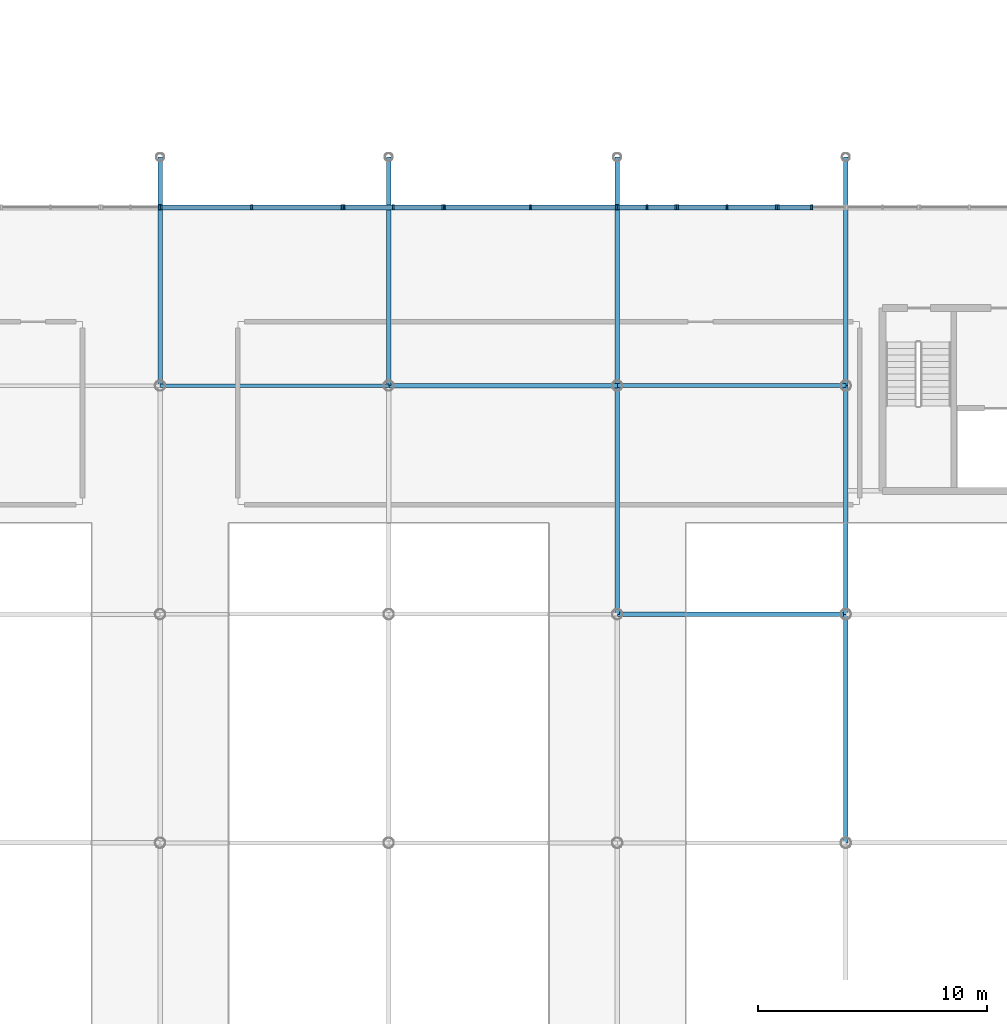
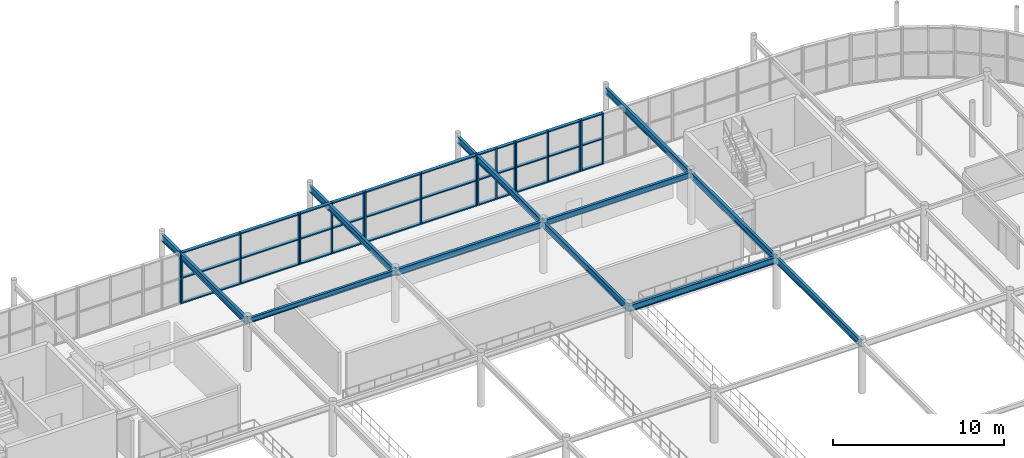
# One storey, part 49 of 98: 51 members, 11 beams, 7 elements without a shape of their own.
"""IFC4 building model written with IfcOpenShell, lengths in metres."""

from ifc_helpers import new_model, si_unit, derived_unit, direction, frame, origin, origin_2d_with_axis, place, context, subcontext, project, spatial, rectangle, i_section, extrude, material, material_profile, profile_set, type_object, element, aggregate, save


model = new_model("IFC4")

# Units and contexts
model_context = context("Model", 3, precision=1e-05, world=origin(), true_north=direction((0.0, 1.0)))
body_context = subcontext(model_context, "Body", "Model", "MODEL_VIEW")
ifc_project = project(units=[si_unit("LENGTHUNIT", "METRE"), si_unit("AREAUNIT", "SQUARE_METRE"), si_unit("VOLUMEUNIT", "CUBIC_METRE"), si_unit("PLANEANGLEUNIT", "RADIAN"), si_unit("MASSUNIT", "GRAM", prefix="KILO"), derived_unit("THERMALTRANSMITTANCEUNIT", [(si_unit("POWERUNIT", "WATT"), 1), (si_unit("LENGTHUNIT", "METRE"), -2), (si_unit("THERMODYNAMICTEMPERATUREUNIT", "KELVIN"), -1)])], contexts=[model_context])

# Site, building, storey
site_placement = place(None, origin())
site = spatial("IfcSite", under=ifc_project, at=site_placement, CompositionType="ELEMENT")
building_placement = place(site_placement, origin())
building = spatial("IfcBuilding", under=site, at=building_placement, Name="Cinnabar Yard Market Hall", CompositionType="ELEMENT")
storey_placement = place(building_placement, frame((0.0, 0.0, 4.5)))
storey = spatial("IfcBuildingStorey", under=building, at=storey_placement, Name="L01", CompositionType="ELEMENT", Elevation=4.5)

# Beams
ifc_material_1 = material(Name="Steel Grade 300 (300 MPa)", Category="steel")
ifc_material_profile_1 = material_profile(ifc_material_1, i_section(OverallWidth=0.18994140625, OverallDepth=0.453857421875, WebThickness=0.008544921875, FlangeThickness=0.0126953125, FilletRadius=0.011474609375, at=origin_2d_with_axis()), Name="460UB67.1")
ifc_profile_set_1 = profile_set([ifc_material_profile_1], Name="Steel Grade 300 (300 MPa)")
beam_type_1 = type_object("IfcBeamType", Name="BM-B05", PredefinedType="BEAM", material=ifc_profile_set_1)
for number, where, z_axis, x_axis, name in (
    (1, (126.0, 54.0, 3.423095703125), (0.0, 1.0, 0.0), (-1.0, 0.0, 0.0), "L01 Gallery Girder Y 00337"),
    (2, (136.0, 44.0, 3.423095703125), (0.0, 1.0, 0.0), (-1.0, 0.0, 0.0), "L01 Gallery Girder Y 00340"),
    (3, (136.0, 54.0, 3.423095703125), (0.0, 1.0, 0.0), (-1.0, 0.0, 0.0), "L01 Gallery Girder Y 00341"),
):
    element("IfcBeam", number, at=place(storey_placement, frame(where, z_axis=z_axis, x_axis=x_axis)), inside=storey, type_object=beam_type_1, Name=name, PredefinedType="BEAM", context=body_context, shape_type="SweptSolid", body=[
        extrude(i_section(OverallWidth=0.18994140625, OverallDepth=0.453857421875, WebThickness=0.008544921875, FlangeThickness=0.0126953125, FilletRadius=0.011474609375, at=origin_2d_with_axis()), origin(), (0.0, 0.0, 1.0), 10.0),
    ])
ifc_material_profile_2 = material_profile(ifc_material_1, i_section(OverallWidth=0.18994140625, OverallDepth=0.453857421875, WebThickness=0.008544921875, FlangeThickness=0.0126953125, FilletRadius=0.011474609375, at=origin_2d_with_axis()), Name="460UB67.1")
ifc_profile_set_2 = profile_set([ifc_material_profile_2], Name="Steel Grade 300 (300 MPa)")
beam_type_2 = type_object("IfcBeamType", Name="BM-B05E", PredefinedType="BEAM", material=ifc_profile_set_2)
for number, where, z_axis, x_axis, name in (
    (4, (106.0, 64.0, 3.423095703125), (0.0, 1.0, 0.0), (-1.0, 0.0, 0.0), "L01 Gallery North Tie 00292"),
    (5, (116.0, 64.0, 3.423095703125), (0.0, 1.0, 0.0), (-1.0, 0.0, 0.0), "L01 Gallery North Tie 00294"),
    (6, (126.0, 64.0, 3.423095703125), (0.0, 1.0, 0.0), (-1.0, 0.0, 0.0), "L01 Gallery North Tie 00296"),
    (7, (136.0, 64.0, 3.423095703125), (0.0, 1.0, 0.0), (-1.0, 0.0, 0.0), "L01 Gallery North Tie 00298"),
):
    element("IfcBeam", number, at=place(storey_placement, frame(where, z_axis=z_axis, x_axis=x_axis)), inside=storey, type_object=beam_type_2, Name=name, PredefinedType="BEAM", context=body_context, shape_type="SweptSolid", body=[
        extrude(i_section(OverallWidth=0.18994140625, OverallDepth=0.453857421875, WebThickness=0.008544921875, FlangeThickness=0.0126953125, FilletRadius=0.011474609375, at=origin_2d_with_axis()), origin(), (0.0, 0.0, 1.0), 10.0),
    ])
ifc_material_profile_3 = material_profile(ifc_material_1, i_section(OverallWidth=0.1708984375, OverallDepth=0.35205078125, WebThickness=0.0068359375, FlangeThickness=0.009765625, FilletRadius=0.011474609375, at=origin_2d_with_axis()), Name="360UB44.7")
ifc_profile_set_3 = profile_set([ifc_material_profile_3], Name="Steel Grade 300 (300 MPa)")
beam_type_3 = type_object("IfcBeamType", Name="BM-B11", PredefinedType="BEAM", material=ifc_profile_set_3)
beam_1_placement = place(storey_placement, frame((106.0, 64.0, 3.47412109375), z_axis=(1.0, 0.0, 0.0), x_axis=(0.0, 1.0, 0.0)))
element("IfcBeam", 8, at=beam_1_placement, inside=storey, type_object=beam_type_3, Name="L01 Gallery Girder X 00268", PredefinedType="BEAM", context=body_context, shape_type="SweptSolid", body=[
    extrude(i_section(OverallWidth=0.1708984375, OverallDepth=0.35205078125, WebThickness=0.0068359375, FlangeThickness=0.009765625, FilletRadius=0.011474609375, at=origin_2d_with_axis()), origin(), (0.0, 0.0, 1.0), 10.0),
])
ifc_material_profile_4 = material_profile(ifc_material_1, i_section(OverallWidth=0.18994140625, OverallDepth=0.453857421875, WebThickness=0.008544921875, FlangeThickness=0.0126953125, FilletRadius=0.011474609375, at=origin_2d_with_axis()), Name="460UB67.1")
ifc_profile_set_4 = profile_set([ifc_material_profile_4], Name="Steel Grade 300 (300 MPa)")
beam_type_4 = type_object("IfcBeamType", Name="BM-B14", PredefinedType="BEAM", material=ifc_profile_set_4)
for number, where, z_axis, x_axis, name in (
    (9, (116.0, 64.0, 3.423095703125), (1.0, 0.0, 0.0), (0.0, 1.0, 0.0), "L01 Gallery Girder X 00273"),
    (10, (126.0, 54.0, 3.423095703125), (1.0, 0.0, 0.0), (0.0, 1.0, 0.0), "L01 Gallery Girder X 00277"),
):
    element("IfcBeam", number, at=place(storey_placement, frame(where, z_axis=z_axis, x_axis=x_axis)), inside=storey, type_object=beam_type_4, Name=name, PredefinedType="BEAM", context=body_context, shape_type="SweptSolid", body=[
        extrude(i_section(OverallWidth=0.18994140625, OverallDepth=0.453857421875, WebThickness=0.008544921875, FlangeThickness=0.0126953125, FilletRadius=0.011474609375, at=origin_2d_with_axis()), origin(), (0.0, 0.0, 1.0), 10.0),
    ])
ifc_material_profile_5 = material_profile(ifc_material_1, i_section(OverallWidth=0.177978515625, OverallDepth=0.402587890625, WebThickness=0.007568359375, FlangeThickness=0.010986328125, FilletRadius=0.011474609375, at=origin_2d_with_axis()), Name="410UB53.7")
ifc_profile_set_5 = profile_set([ifc_material_profile_5], Name="Steel Grade 300 (300 MPa)")
beam_type_5 = type_object("IfcBeamType", Name="BM-B15", PredefinedType="BEAM", material=ifc_profile_set_5)
beam_2_placement = place(storey_placement, frame((126.0, 64.0, 3.44873046875), z_axis=(1.0, 0.0, 0.0), x_axis=(0.0, 1.0, 0.0)))
element("IfcBeam", 11, at=beam_2_placement, inside=storey, type_object=beam_type_5, Name="L01 Gallery Girder X 00278", PredefinedType="BEAM", context=body_context, shape_type="SweptSolid", body=[
    extrude(i_section(OverallWidth=0.177978515625, OverallDepth=0.402587890625, WebThickness=0.007568359375, FlangeThickness=0.010986328125, FilletRadius=0.011474609375, at=origin_2d_with_axis()), origin(), (0.0, 0.0, 1.0), 10.0),
])

# Curtain wall, member
ifc_material_2 = material(Name="Anodised bronze aluminium and low-E glass", Category="aluminium")
curtain_wall_type_1 = type_object("IfcCurtainWallType", Name="CW-CWH026x36", PredefinedType="NOTDEFINED", material=ifc_material_2)
curtain_wall_1_placement = place(storey_placement, origin())
curtain_wall_1 = element("IfcCurtainWall", 12, at=curtain_wall_1_placement, inside=storey, type_object=curtain_wall_type_1, Name="Market Hall North Gallery Glazing B2B", PredefinedType="NOTDEFINED")
ifc_material_3 = material(Name="Anodised bronze aluminium", Category="aluminium")
ifc_material_profile_6 = material_profile(ifc_material_3, rectangle(XDim=0.219970703125, YDim=0.080078125, at=origin_2d_with_axis()), Name="MUL-CWH")
ifc_profile_set_6 = profile_set([ifc_material_profile_6], Name="Anodised bronze aluminium")
member_type_1 = type_object("IfcMemberType", Name="CWM-CWH", PredefinedType="MULLION", material=ifc_profile_set_6)
member_1_placement = place(storey_placement, frame((105.9599609375, 71.800048828125, 0.0), z_axis=(0.0, 0.0, 1.0), x_axis=(0.0, -1.0, 0.0)))
member_1 = element("IfcMember", 13, at=member_1_placement, type_object=member_type_1, Name="CWH026x36 mullion 1", PredefinedType="MULLION", context=body_context, shape_type="SweptSolid", body=[
    extrude(rectangle(XDim=0.219970703125, YDim=0.080078125, at=origin_2d_with_axis()), origin(), (0.0, 0.0, 1.0), 3.64990234375),
])
aggregate(curtain_wall_1, [member_1])

# Curtain wall, members
curtain_wall_type_2 = type_object("IfcCurtainWallType", Name="CW-CWH080x36", PredefinedType="NOTDEFINED", material=ifc_material_2)
curtain_wall_2_placement = place(storey_placement, origin())
curtain_wall_2 = element("IfcCurtainWall", 14, at=curtain_wall_2_placement, inside=storey, type_object=curtain_wall_type_2, Name="Market Hall North Gallery Glazing B3", PredefinedType="NOTDEFINED")
member_2_placement = place(storey_placement, frame((113.9599609375, 71.800048828125, 0.0), z_axis=(0.0, 0.0, 1.0), x_axis=(0.0, -1.0, 0.0)))
member_2 = element("IfcMember", 15, at=member_2_placement, type_object=member_type_1, Name="CWH080x36 mullion 1", PredefinedType="MULLION", context=body_context, shape_type="SweptSolid", body=[
    extrude(rectangle(XDim=0.219970703125, YDim=0.080078125, at=origin_2d_with_axis()), origin(), (0.0, 0.0, 1.0), 3.64990234375),
])
member_3_placement = place(storey_placement, frame((110.0, 71.800048828125, 0.0), z_axis=(0.0, 0.0, 1.0), x_axis=(0.0, -1.0, 0.0)))
member_3 = element("IfcMember", 16, at=member_3_placement, type_object=member_type_1, Name="CWH080x36 mullion 2", PredefinedType="MULLION", context=body_context, shape_type="SweptSolid", body=[
    extrude(rectangle(XDim=0.219970703125, YDim=0.080078125, at=origin_2d_with_axis()), origin(), (0.0, 0.0, 1.0), 3.64990234375),
])
member_4_placement = place(storey_placement, frame((106.0400390625, 71.800048828125, 0.0), z_axis=(0.0, 0.0, 1.0), x_axis=(0.0, -1.0, 0.0)))
member_4 = element("IfcMember", 17, at=member_4_placement, type_object=member_type_1, Name="CWH080x36 mullion 3", PredefinedType="MULLION", context=body_context, shape_type="SweptSolid", body=[
    extrude(rectangle(XDim=0.219970703125, YDim=0.080078125, at=origin_2d_with_axis()), origin(), (0.0, 0.0, 1.0), 3.64990234375),
])

curtain_wall_type_3 = type_object("IfcCurtainWallType", Name="CW-CWH044x36", PredefinedType="NOTDEFINED", material=ifc_material_2)
curtain_wall_3_placement = place(storey_placement, origin())
curtain_wall_3 = element("IfcCurtainWall", 18, at=curtain_wall_3_placement, inside=storey, type_object=curtain_wall_type_3, Name="Market Hall North Gallery Glazing PT1", PredefinedType="NOTDEFINED")
member_5_placement = place(storey_placement, frame((118.360107421875, 71.800048828125, 0.0), z_axis=(0.0, 0.0, 1.0), x_axis=(0.0, -1.0, 0.0)))
member_5 = element("IfcMember", 19, at=member_5_placement, type_object=member_type_1, Name="CWH044x36 mullion 1", PredefinedType="MULLION", context=body_context, shape_type="SweptSolid", body=[
    extrude(rectangle(XDim=0.219970703125, YDim=0.080078125, at=origin_2d_with_axis()), origin(), (0.0, 0.0, 1.0), 3.64990234375),
])
member_6_placement = place(storey_placement, frame((116.199951171875, 71.800048828125, 0.0), z_axis=(0.0, 0.0, 1.0), x_axis=(0.0, -1.0, 0.0)))
member_6 = element("IfcMember", 20, at=member_6_placement, type_object=member_type_1, Name="CWH044x36 mullion 2", PredefinedType="MULLION", context=body_context, shape_type="SweptSolid", body=[
    extrude(rectangle(XDim=0.219970703125, YDim=0.080078125, at=origin_2d_with_axis()), origin(), (0.0, 0.0, 1.0), 3.64990234375),
])
member_7_placement = place(storey_placement, frame((114.0400390625, 71.800048828125, 0.0), z_axis=(0.0, 0.0, 1.0), x_axis=(0.0, -1.0, 0.0)))
member_7 = element("IfcMember", 21, at=member_7_placement, type_object=member_type_1, Name="CWH044x36 mullion 3", PredefinedType="MULLION", context=body_context, shape_type="SweptSolid", body=[
    extrude(rectangle(XDim=0.219970703125, YDim=0.080078125, at=origin_2d_with_axis()), origin(), (0.0, 0.0, 1.0), 3.64990234375),
])

curtain_wall_type_4 = type_object("IfcCurtainWallType", Name="CW-CWH076x36", PredefinedType="NOTDEFINED", material=ifc_material_2)
curtain_wall_4_placement = place(storey_placement, origin())
curtain_wall_4 = element("IfcCurtainWall", 22, at=curtain_wall_4_placement, inside=storey, type_object=curtain_wall_type_4, Name="Market Hall North Gallery Glazing B4", PredefinedType="NOTDEFINED")
member_8_placement = place(storey_placement, frame((125.9599609375, 71.800048828125, 0.0), z_axis=(0.0, 0.0, 1.0), x_axis=(0.0, -1.0, 0.0)))
member_8 = element("IfcMember", 23, at=member_8_placement, type_object=member_type_1, Name="CWH076x36 mullion 1", PredefinedType="MULLION", context=body_context, shape_type="SweptSolid", body=[
    extrude(rectangle(XDim=0.219970703125, YDim=0.080078125, at=origin_2d_with_axis()), origin(), (0.0, 0.0, 1.0), 3.64990234375),
])
member_9_placement = place(storey_placement, frame((122.199951171875, 71.800048828125, 0.0), z_axis=(0.0, 0.0, 1.0), x_axis=(0.0, -1.0, 0.0)))
member_9 = element("IfcMember", 24, at=member_9_placement, type_object=member_type_1, Name="CWH076x36 mullion 2", PredefinedType="MULLION", context=body_context, shape_type="SweptSolid", body=[
    extrude(rectangle(XDim=0.219970703125, YDim=0.080078125, at=origin_2d_with_axis()), origin(), (0.0, 0.0, 1.0), 3.64990234375),
])
member_10_placement = place(storey_placement, frame((118.43994140625, 71.800048828125, 0.0), z_axis=(0.0, 0.0, 1.0), x_axis=(0.0, -1.0, 0.0)))
member_10 = element("IfcMember", 25, at=member_10_placement, type_object=member_type_1, Name="CWH076x36 mullion 3", PredefinedType="MULLION", context=body_context, shape_type="SweptSolid", body=[
    extrude(rectangle(XDim=0.219970703125, YDim=0.080078125, at=origin_2d_with_axis()), origin(), (0.0, 0.0, 1.0), 3.64990234375),
])

curtain_wall_5_placement = place(storey_placement, origin())
curtain_wall_5 = element("IfcCurtainWall", 26, at=curtain_wall_5_placement, inside=storey, type_object=curtain_wall_type_1, Name="Market Hall North Gallery Glazing B5A", PredefinedType="NOTDEFINED")
member_11_placement = place(storey_placement, frame((128.56005859375, 71.800048828125, 0.0), z_axis=(0.0, 0.0, 1.0), x_axis=(0.0, -1.0, 0.0)))
member_11 = element("IfcMember", 27, at=member_11_placement, type_object=member_type_1, Name="CWH026x36 mullion 1", PredefinedType="MULLION", context=body_context, shape_type="SweptSolid", body=[
    extrude(rectangle(XDim=0.219970703125, YDim=0.080078125, at=origin_2d_with_axis()), origin(), (0.0, 0.0, 1.0), 3.64990234375),
])
member_12_placement = place(storey_placement, frame((127.300048828125, 71.800048828125, 0.0), z_axis=(0.0, 0.0, 1.0), x_axis=(0.0, -1.0, 0.0)))
member_12 = element("IfcMember", 28, at=member_12_placement, type_object=member_type_1, Name="CWH026x36 mullion 2", PredefinedType="MULLION", context=body_context, shape_type="SweptSolid", body=[
    extrude(rectangle(XDim=0.219970703125, YDim=0.080078125, at=origin_2d_with_axis()), origin(), (0.0, 0.0, 1.0), 3.64990234375),
])
member_13_placement = place(storey_placement, frame((126.0400390625, 71.800048828125, 0.0), z_axis=(0.0, 0.0, 1.0), x_axis=(0.0, -1.0, 0.0)))
member_13 = element("IfcMember", 29, at=member_13_placement, type_object=member_type_1, Name="CWH026x36 mullion 3", PredefinedType="MULLION", context=body_context, shape_type="SweptSolid", body=[
    extrude(rectangle(XDim=0.219970703125, YDim=0.080078125, at=origin_2d_with_axis()), origin(), (0.0, 0.0, 1.0), 3.64990234375),
])

curtain_wall_6_placement = place(storey_placement, origin())
curtain_wall_6 = element("IfcCurtainWall", 30, at=curtain_wall_6_placement, inside=storey, type_object=curtain_wall_type_3, Name="Market Hall North Gallery Glazing PTB5", PredefinedType="NOTDEFINED")
member_14_placement = place(storey_placement, frame((132.9599609375, 71.800048828125, 0.0), z_axis=(0.0, 0.0, 1.0), x_axis=(0.0, -1.0, 0.0)))
member_14 = element("IfcMember", 31, at=member_14_placement, type_object=member_type_1, Name="CWH044x36 mullion 1", PredefinedType="MULLION", context=body_context, shape_type="SweptSolid", body=[
    extrude(rectangle(XDim=0.219970703125, YDim=0.080078125, at=origin_2d_with_axis()), origin(), (0.0, 0.0, 1.0), 3.64990234375),
])
member_15_placement = place(storey_placement, frame((130.800048828125, 71.800048828125, 0.0), z_axis=(0.0, 0.0, 1.0), x_axis=(0.0, -1.0, 0.0)))
member_15 = element("IfcMember", 32, at=member_15_placement, type_object=member_type_1, Name="CWH044x36 mullion 2", PredefinedType="MULLION", context=body_context, shape_type="SweptSolid", body=[
    extrude(rectangle(XDim=0.219970703125, YDim=0.080078125, at=origin_2d_with_axis()), origin(), (0.0, 0.0, 1.0), 3.64990234375),
])
member_16_placement = place(storey_placement, frame((128.639892578125, 71.800048828125, 0.0), z_axis=(0.0, 0.0, 1.0), x_axis=(0.0, -1.0, 0.0)))
member_16 = element("IfcMember", 33, at=member_16_placement, type_object=member_type_1, Name="CWH044x36 mullion 3", PredefinedType="MULLION", context=body_context, shape_type="SweptSolid", body=[
    extrude(rectangle(XDim=0.219970703125, YDim=0.080078125, at=origin_2d_with_axis()), origin(), (0.0, 0.0, 1.0), 3.64990234375),
])

curtain_wall_type_5 = type_object("IfcCurtainWallType", Name="CW-CWH030x36", PredefinedType="NOTDEFINED", material=ifc_material_2)
curtain_wall_7_placement = place(storey_placement, origin())
curtain_wall_7 = element("IfcCurtainWall", 34, at=curtain_wall_7_placement, inside=storey, type_object=curtain_wall_type_5, Name="Market Hall North Gallery Glazing B5B", PredefinedType="NOTDEFINED")
member_17_placement = place(storey_placement, frame((134.5, 71.800048828125, 0.0), z_axis=(0.0, 0.0, 1.0), x_axis=(0.0, -1.0, 0.0)))
member_17 = element("IfcMember", 35, at=member_17_placement, type_object=member_type_1, Name="CWH030x36 mullion 2", PredefinedType="MULLION", context=body_context, shape_type="SweptSolid", body=[
    extrude(rectangle(XDim=0.219970703125, YDim=0.080078125, at=origin_2d_with_axis()), origin(), (0.0, 0.0, 1.0), 3.64990234375),
])
member_18_placement = place(storey_placement, frame((133.0400390625, 71.800048828125, 0.0), z_axis=(0.0, 0.0, 1.0), x_axis=(0.0, -1.0, 0.0)))
member_18 = element("IfcMember", 36, at=member_18_placement, type_object=member_type_1, Name="CWH030x36 mullion 3", PredefinedType="MULLION", context=body_context, shape_type="SweptSolid", body=[
    extrude(rectangle(XDim=0.219970703125, YDim=0.080078125, at=origin_2d_with_axis()), origin(), (0.0, 0.0, 1.0), 3.64990234375),
])

# Member
ifc_material_profile_7 = material_profile(ifc_material_3, rectangle(XDim=0.219970703125, YDim=0.080078125, at=origin_2d_with_axis()), Name="TRN-CWH")
ifc_profile_set_7 = profile_set([ifc_material_profile_7], Name="Anodised bronze aluminium")
member_type_2 = type_object("IfcMemberType", Name="CWT-CWH", PredefinedType="USERDEFINED", material=ifc_profile_set_7)
member_19_placement = place(storey_placement, frame((113.919921875, 71.800048828125, 0.0400390625), z_axis=(-1.0, 0.0, 0.0), x_axis=(0.0, -1.0, 0.0)))
member_19 = element("IfcMember", 37, at=member_19_placement, type_object=member_type_2, Name="CWH080x36 transom 1.1", ObjectType="TRANSOM", PredefinedType="USERDEFINED", context=body_context, shape_type="SweptSolid", body=[
    extrude(rectangle(XDim=0.219970703125, YDim=0.080078125, at=origin_2d_with_axis()), origin(), (0.0, 0.0, 1.0), 3.8798828125),
])

member_20_placement = place(storey_placement, frame((113.919921875, 71.800048828125, 1.824951171875), z_axis=(-1.0, 0.0, 0.0), x_axis=(0.0, -1.0, 0.0)))
member_20 = element("IfcMember", 38, at=member_20_placement, type_object=member_type_2, Name="CWH080x36 transom 1.2", ObjectType="TRANSOM", PredefinedType="USERDEFINED", context=body_context, shape_type="SweptSolid", body=[
    extrude(rectangle(XDim=0.219970703125, YDim=0.080078125, at=origin_2d_with_axis()), origin(), (0.0, 0.0, 1.0), 3.8798828125),
])

member_21_placement = place(storey_placement, frame((113.919921875, 71.800048828125, 3.610107421875), z_axis=(-1.0, 0.0, 0.0), x_axis=(0.0, -1.0, 0.0)))
member_21 = element("IfcMember", 39, at=member_21_placement, type_object=member_type_2, Name="CWH080x36 transom 1.3", ObjectType="TRANSOM", PredefinedType="USERDEFINED", context=body_context, shape_type="SweptSolid", body=[
    extrude(rectangle(XDim=0.219970703125, YDim=0.080078125, at=origin_2d_with_axis()), origin(), (0.0, 0.0, 1.0), 3.8798828125),
])

member_22_placement = place(storey_placement, frame((109.9599609375, 71.800048828125, 0.0400390625), z_axis=(-1.0, 0.0, 0.0), x_axis=(0.0, -1.0, 0.0)))
member_22 = element("IfcMember", 40, at=member_22_placement, type_object=member_type_2, Name="CWH080x36 transom 2.1", ObjectType="TRANSOM", PredefinedType="USERDEFINED", context=body_context, shape_type="SweptSolid", body=[
    extrude(rectangle(XDim=0.219970703125, YDim=0.080078125, at=origin_2d_with_axis()), origin(), (0.0, 0.0, 1.0), 3.8798828125),
])

member_23_placement = place(storey_placement, frame((109.9599609375, 71.800048828125, 1.824951171875), z_axis=(-1.0, 0.0, 0.0), x_axis=(0.0, -1.0, 0.0)))
member_23 = element("IfcMember", 41, at=member_23_placement, type_object=member_type_2, Name="CWH080x36 transom 2.2", ObjectType="TRANSOM", PredefinedType="USERDEFINED", context=body_context, shape_type="SweptSolid", body=[
    extrude(rectangle(XDim=0.219970703125, YDim=0.080078125, at=origin_2d_with_axis()), origin(), (0.0, 0.0, 1.0), 3.8798828125),
])

member_24_placement = place(storey_placement, frame((109.9599609375, 71.800048828125, 3.610107421875), z_axis=(-1.0, 0.0, 0.0), x_axis=(0.0, -1.0, 0.0)))
member_24 = element("IfcMember", 42, at=member_24_placement, type_object=member_type_2, Name="CWH080x36 transom 2.3", ObjectType="TRANSOM", PredefinedType="USERDEFINED", context=body_context, shape_type="SweptSolid", body=[
    extrude(rectangle(XDim=0.219970703125, YDim=0.080078125, at=origin_2d_with_axis()), origin(), (0.0, 0.0, 1.0), 3.8798828125),
])

aggregate(curtain_wall_2, [member_2, member_3, member_4, member_19, member_20, member_21, member_22, member_23, member_24])

member_25_placement = place(storey_placement, frame((118.320068359375, 71.800048828125, 0.0400390625), z_axis=(-1.0, 0.0, 0.0), x_axis=(0.0, -1.0, 0.0)))
member_25 = element("IfcMember", 43, at=member_25_placement, type_object=member_type_2, Name="CWH044x36 transom 1.1", ObjectType="TRANSOM", PredefinedType="USERDEFINED", context=body_context, shape_type="SweptSolid", body=[
    extrude(rectangle(XDim=0.219970703125, YDim=0.080078125, at=origin_2d_with_axis()), origin(), (0.0, 0.0, 1.0), 2.080078125),
])

member_26_placement = place(storey_placement, frame((118.320068359375, 71.800048828125, 1.824951171875), z_axis=(-1.0, 0.0, 0.0), x_axis=(0.0, -1.0, 0.0)))
member_26 = element("IfcMember", 44, at=member_26_placement, type_object=member_type_2, Name="CWH044x36 transom 1.2", ObjectType="TRANSOM", PredefinedType="USERDEFINED", context=body_context, shape_type="SweptSolid", body=[
    extrude(rectangle(XDim=0.219970703125, YDim=0.080078125, at=origin_2d_with_axis()), origin(), (0.0, 0.0, 1.0), 2.080078125),
])

member_27_placement = place(storey_placement, frame((118.320068359375, 71.800048828125, 3.610107421875), z_axis=(-1.0, 0.0, 0.0), x_axis=(0.0, -1.0, 0.0)))
member_27 = element("IfcMember", 45, at=member_27_placement, type_object=member_type_2, Name="CWH044x36 transom 1.3", ObjectType="TRANSOM", PredefinedType="USERDEFINED", context=body_context, shape_type="SweptSolid", body=[
    extrude(rectangle(XDim=0.219970703125, YDim=0.080078125, at=origin_2d_with_axis()), origin(), (0.0, 0.0, 1.0), 2.080078125),
])

member_28_placement = place(storey_placement, frame((116.159912109375, 71.800048828125, 0.0400390625), z_axis=(-1.0, 0.0, 0.0), x_axis=(0.0, -1.0, 0.0)))
member_28 = element("IfcMember", 46, at=member_28_placement, type_object=member_type_2, Name="CWH044x36 transom 2.1", ObjectType="TRANSOM", PredefinedType="USERDEFINED", context=body_context, shape_type="SweptSolid", body=[
    extrude(rectangle(XDim=0.219970703125, YDim=0.080078125, at=origin_2d_with_axis()), origin(), (0.0, 0.0, 1.0), 2.079833984375),
])

member_29_placement = place(storey_placement, frame((116.159912109375, 71.800048828125, 1.824951171875), z_axis=(-1.0, 0.0, 0.0), x_axis=(0.0, -1.0, 0.0)))
member_29 = element("IfcMember", 47, at=member_29_placement, type_object=member_type_2, Name="CWH044x36 transom 2.2", ObjectType="TRANSOM", PredefinedType="USERDEFINED", context=body_context, shape_type="SweptSolid", body=[
    extrude(rectangle(XDim=0.219970703125, YDim=0.080078125, at=origin_2d_with_axis()), origin(), (0.0, 0.0, 1.0), 2.079833984375),
])

member_30_placement = place(storey_placement, frame((116.159912109375, 71.800048828125, 3.610107421875), z_axis=(-1.0, 0.0, 0.0), x_axis=(0.0, -1.0, 0.0)))
member_30 = element("IfcMember", 48, at=member_30_placement, type_object=member_type_2, Name="CWH044x36 transom 2.3", ObjectType="TRANSOM", PredefinedType="USERDEFINED", context=body_context, shape_type="SweptSolid", body=[
    extrude(rectangle(XDim=0.219970703125, YDim=0.080078125, at=origin_2d_with_axis()), origin(), (0.0, 0.0, 1.0), 2.079833984375),
])

aggregate(curtain_wall_3, [member_5, member_6, member_7, member_25, member_26, member_27, member_28, member_29, member_30])

member_31_placement = place(storey_placement, frame((125.919921875, 71.800048828125, 0.0400390625), z_axis=(-1.0, 0.0, 0.0), x_axis=(0.0, -1.0, 0.0)))
member_31 = element("IfcMember", 49, at=member_31_placement, type_object=member_type_2, Name="CWH076x36 transom 1.1", ObjectType="TRANSOM", PredefinedType="USERDEFINED", context=body_context, shape_type="SweptSolid", body=[
    extrude(rectangle(XDim=0.219970703125, YDim=0.080078125, at=origin_2d_with_axis()), origin(), (0.0, 0.0, 1.0), 3.679931640625),
])

member_32_placement = place(storey_placement, frame((125.919921875, 71.800048828125, 1.824951171875), z_axis=(-1.0, 0.0, 0.0), x_axis=(0.0, -1.0, 0.0)))
member_32 = element("IfcMember", 50, at=member_32_placement, type_object=member_type_2, Name="CWH076x36 transom 1.2", ObjectType="TRANSOM", PredefinedType="USERDEFINED", context=body_context, shape_type="SweptSolid", body=[
    extrude(rectangle(XDim=0.219970703125, YDim=0.080078125, at=origin_2d_with_axis()), origin(), (0.0, 0.0, 1.0), 3.679931640625),
])

member_33_placement = place(storey_placement, frame((125.919921875, 71.800048828125, 3.610107421875), z_axis=(-1.0, 0.0, 0.0), x_axis=(0.0, -1.0, 0.0)))
member_33 = element("IfcMember", 51, at=member_33_placement, type_object=member_type_2, Name="CWH076x36 transom 1.3", ObjectType="TRANSOM", PredefinedType="USERDEFINED", context=body_context, shape_type="SweptSolid", body=[
    extrude(rectangle(XDim=0.219970703125, YDim=0.080078125, at=origin_2d_with_axis()), origin(), (0.0, 0.0, 1.0), 3.679931640625),
])

member_34_placement = place(storey_placement, frame((122.159912109375, 71.800048828125, 0.0400390625), z_axis=(-1.0, 0.0, 0.0), x_axis=(0.0, -1.0, 0.0)))
member_34 = element("IfcMember", 52, at=member_34_placement, type_object=member_type_2, Name="CWH076x36 transom 2.1", ObjectType="TRANSOM", PredefinedType="USERDEFINED", context=body_context, shape_type="SweptSolid", body=[
    extrude(rectangle(XDim=0.219970703125, YDim=0.080078125, at=origin_2d_with_axis()), origin(), (0.0, 0.0, 1.0), 3.679931640625),
])

member_35_placement = place(storey_placement, frame((122.159912109375, 71.800048828125, 1.824951171875), z_axis=(-1.0, 0.0, 0.0), x_axis=(0.0, -1.0, 0.0)))
member_35 = element("IfcMember", 53, at=member_35_placement, type_object=member_type_2, Name="CWH076x36 transom 2.2", ObjectType="TRANSOM", PredefinedType="USERDEFINED", context=body_context, shape_type="SweptSolid", body=[
    extrude(rectangle(XDim=0.219970703125, YDim=0.080078125, at=origin_2d_with_axis()), origin(), (0.0, 0.0, 1.0), 3.679931640625),
])

member_36_placement = place(storey_placement, frame((122.159912109375, 71.800048828125, 3.610107421875), z_axis=(-1.0, 0.0, 0.0), x_axis=(0.0, -1.0, 0.0)))
member_36 = element("IfcMember", 54, at=member_36_placement, type_object=member_type_2, Name="CWH076x36 transom 2.3", ObjectType="TRANSOM", PredefinedType="USERDEFINED", context=body_context, shape_type="SweptSolid", body=[
    extrude(rectangle(XDim=0.219970703125, YDim=0.080078125, at=origin_2d_with_axis()), origin(), (0.0, 0.0, 1.0), 3.679931640625),
])

aggregate(curtain_wall_4, [member_8, member_9, member_10, member_31, member_32, member_33, member_34, member_35, member_36])

member_37_placement = place(storey_placement, frame((128.52001953125, 71.800048828125, 0.0400390625), z_axis=(-1.0, 0.0, 0.0), x_axis=(0.0, -1.0, 0.0)))
member_37 = element("IfcMember", 55, at=member_37_placement, type_object=member_type_2, Name="CWH026x36 transom 1.1", ObjectType="TRANSOM", PredefinedType="USERDEFINED", context=body_context, shape_type="SweptSolid", body=[
    extrude(rectangle(XDim=0.219970703125, YDim=0.080078125, at=origin_2d_with_axis()), origin(), (0.0, 0.0, 1.0), 1.179931640625),
])

member_38_placement = place(storey_placement, frame((128.52001953125, 71.800048828125, 1.824951171875), z_axis=(-1.0, 0.0, 0.0), x_axis=(0.0, -1.0, 0.0)))
member_38 = element("IfcMember", 56, at=member_38_placement, type_object=member_type_2, Name="CWH026x36 transom 1.2", ObjectType="TRANSOM", PredefinedType="USERDEFINED", context=body_context, shape_type="SweptSolid", body=[
    extrude(rectangle(XDim=0.219970703125, YDim=0.080078125, at=origin_2d_with_axis()), origin(), (0.0, 0.0, 1.0), 1.179931640625),
])

member_39_placement = place(storey_placement, frame((128.52001953125, 71.800048828125, 3.610107421875), z_axis=(-1.0, 0.0, 0.0), x_axis=(0.0, -1.0, 0.0)))
member_39 = element("IfcMember", 57, at=member_39_placement, type_object=member_type_2, Name="CWH026x36 transom 1.3", ObjectType="TRANSOM", PredefinedType="USERDEFINED", context=body_context, shape_type="SweptSolid", body=[
    extrude(rectangle(XDim=0.219970703125, YDim=0.080078125, at=origin_2d_with_axis()), origin(), (0.0, 0.0, 1.0), 1.179931640625),
])

member_40_placement = place(storey_placement, frame((127.260009765625, 71.800048828125, 0.0400390625), z_axis=(-1.0, 0.0, 0.0), x_axis=(0.0, -1.0, 0.0)))
member_40 = element("IfcMember", 58, at=member_40_placement, type_object=member_type_2, Name="CWH026x36 transom 2.1", ObjectType="TRANSOM", PredefinedType="USERDEFINED", context=body_context, shape_type="SweptSolid", body=[
    extrude(rectangle(XDim=0.219970703125, YDim=0.080078125, at=origin_2d_with_axis()), origin(), (0.0, 0.0, 1.0), 1.179931640625),
])

member_41_placement = place(storey_placement, frame((127.260009765625, 71.800048828125, 1.824951171875), z_axis=(-1.0, 0.0, 0.0), x_axis=(0.0, -1.0, 0.0)))
member_41 = element("IfcMember", 59, at=member_41_placement, type_object=member_type_2, Name="CWH026x36 transom 2.2", ObjectType="TRANSOM", PredefinedType="USERDEFINED", context=body_context, shape_type="SweptSolid", body=[
    extrude(rectangle(XDim=0.219970703125, YDim=0.080078125, at=origin_2d_with_axis()), origin(), (0.0, 0.0, 1.0), 1.179931640625),
])

member_42_placement = place(storey_placement, frame((127.260009765625, 71.800048828125, 3.610107421875), z_axis=(-1.0, 0.0, 0.0), x_axis=(0.0, -1.0, 0.0)))
member_42 = element("IfcMember", 60, at=member_42_placement, type_object=member_type_2, Name="CWH026x36 transom 2.3", ObjectType="TRANSOM", PredefinedType="USERDEFINED", context=body_context, shape_type="SweptSolid", body=[
    extrude(rectangle(XDim=0.219970703125, YDim=0.080078125, at=origin_2d_with_axis()), origin(), (0.0, 0.0, 1.0), 1.179931640625),
])

aggregate(curtain_wall_5, [member_11, member_12, member_13, member_37, member_38, member_39, member_40, member_41, member_42])

member_43_placement = place(storey_placement, frame((132.919921875, 71.800048828125, 0.0400390625), z_axis=(-1.0, 0.0, 0.0), x_axis=(0.0, -1.0, 0.0)))
member_43 = element("IfcMember", 61, at=member_43_placement, type_object=member_type_2, Name="CWH044x36 transom 1.1", ObjectType="TRANSOM", PredefinedType="USERDEFINED", context=body_context, shape_type="SweptSolid", body=[
    extrude(rectangle(XDim=0.219970703125, YDim=0.080078125, at=origin_2d_with_axis()), origin(), (0.0, 0.0, 1.0), 2.079833984375),
])

member_44_placement = place(storey_placement, frame((132.919921875, 71.800048828125, 1.824951171875), z_axis=(-1.0, 0.0, 0.0), x_axis=(0.0, -1.0, 0.0)))
member_44 = element("IfcMember", 62, at=member_44_placement, type_object=member_type_2, Name="CWH044x36 transom 1.2", ObjectType="TRANSOM", PredefinedType="USERDEFINED", context=body_context, shape_type="SweptSolid", body=[
    extrude(rectangle(XDim=0.219970703125, YDim=0.080078125, at=origin_2d_with_axis()), origin(), (0.0, 0.0, 1.0), 2.079833984375),
])

member_45_placement = place(storey_placement, frame((132.919921875, 71.800048828125, 3.610107421875), z_axis=(-1.0, 0.0, 0.0), x_axis=(0.0, -1.0, 0.0)))
member_45 = element("IfcMember", 63, at=member_45_placement, type_object=member_type_2, Name="CWH044x36 transom 1.3", ObjectType="TRANSOM", PredefinedType="USERDEFINED", context=body_context, shape_type="SweptSolid", body=[
    extrude(rectangle(XDim=0.219970703125, YDim=0.080078125, at=origin_2d_with_axis()), origin(), (0.0, 0.0, 1.0), 2.079833984375),
])

member_46_placement = place(storey_placement, frame((130.760009765625, 71.800048828125, 0.0400390625), z_axis=(-1.0, 0.0, 0.0), x_axis=(0.0, -1.0, 0.0)))
member_46 = element("IfcMember", 64, at=member_46_placement, type_object=member_type_2, Name="CWH044x36 transom 2.1", ObjectType="TRANSOM", PredefinedType="USERDEFINED", context=body_context, shape_type="SweptSolid", body=[
    extrude(rectangle(XDim=0.219970703125, YDim=0.080078125, at=origin_2d_with_axis()), origin(), (0.0, 0.0, 1.0), 2.080078125),
])

member_47_placement = place(storey_placement, frame((130.760009765625, 71.800048828125, 1.824951171875), z_axis=(-1.0, 0.0, 0.0), x_axis=(0.0, -1.0, 0.0)))
member_47 = element("IfcMember", 65, at=member_47_placement, type_object=member_type_2, Name="CWH044x36 transom 2.2", ObjectType="TRANSOM", PredefinedType="USERDEFINED", context=body_context, shape_type="SweptSolid", body=[
    extrude(rectangle(XDim=0.219970703125, YDim=0.080078125, at=origin_2d_with_axis()), origin(), (0.0, 0.0, 1.0), 2.080078125),
])

member_48_placement = place(storey_placement, frame((130.760009765625, 71.800048828125, 3.610107421875), z_axis=(-1.0, 0.0, 0.0), x_axis=(0.0, -1.0, 0.0)))
member_48 = element("IfcMember", 66, at=member_48_placement, type_object=member_type_2, Name="CWH044x36 transom 2.3", ObjectType="TRANSOM", PredefinedType="USERDEFINED", context=body_context, shape_type="SweptSolid", body=[
    extrude(rectangle(XDim=0.219970703125, YDim=0.080078125, at=origin_2d_with_axis()), origin(), (0.0, 0.0, 1.0), 2.080078125),
])

aggregate(curtain_wall_6, [member_14, member_15, member_16, member_43, member_44, member_45, member_46, member_47, member_48])

member_49_placement = place(storey_placement, frame((134.4599609375, 71.800048828125, 0.0400390625), z_axis=(-1.0, 0.0, 0.0), x_axis=(0.0, -1.0, 0.0)))
member_49 = element("IfcMember", 67, at=member_49_placement, type_object=member_type_2, Name="CWH030x36 transom 2.1", ObjectType="TRANSOM", PredefinedType="USERDEFINED", context=body_context, shape_type="SweptSolid", body=[
    extrude(rectangle(XDim=0.219970703125, YDim=0.080078125, at=origin_2d_with_axis()), origin(), (0.0, 0.0, 1.0), 1.3798828125),
])

member_50_placement = place(storey_placement, frame((134.4599609375, 71.800048828125, 1.824951171875), z_axis=(-1.0, 0.0, 0.0), x_axis=(0.0, -1.0, 0.0)))
member_50 = element("IfcMember", 68, at=member_50_placement, type_object=member_type_2, Name="CWH030x36 transom 2.2", ObjectType="TRANSOM", PredefinedType="USERDEFINED", context=body_context, shape_type="SweptSolid", body=[
    extrude(rectangle(XDim=0.219970703125, YDim=0.080078125, at=origin_2d_with_axis()), origin(), (0.0, 0.0, 1.0), 1.3798828125),
])

member_51_placement = place(storey_placement, frame((134.4599609375, 71.800048828125, 3.610107421875), z_axis=(-1.0, 0.0, 0.0), x_axis=(0.0, -1.0, 0.0)))
member_51 = element("IfcMember", 69, at=member_51_placement, type_object=member_type_2, Name="CWH030x36 transom 2.3", ObjectType="TRANSOM", PredefinedType="USERDEFINED", context=body_context, shape_type="SweptSolid", body=[
    extrude(rectangle(XDim=0.219970703125, YDim=0.080078125, at=origin_2d_with_axis()), origin(), (0.0, 0.0, 1.0), 1.3798828125),
])

aggregate(curtain_wall_7, [member_17, member_18, member_49, member_50, member_51])

save(model, "model.ifc")
